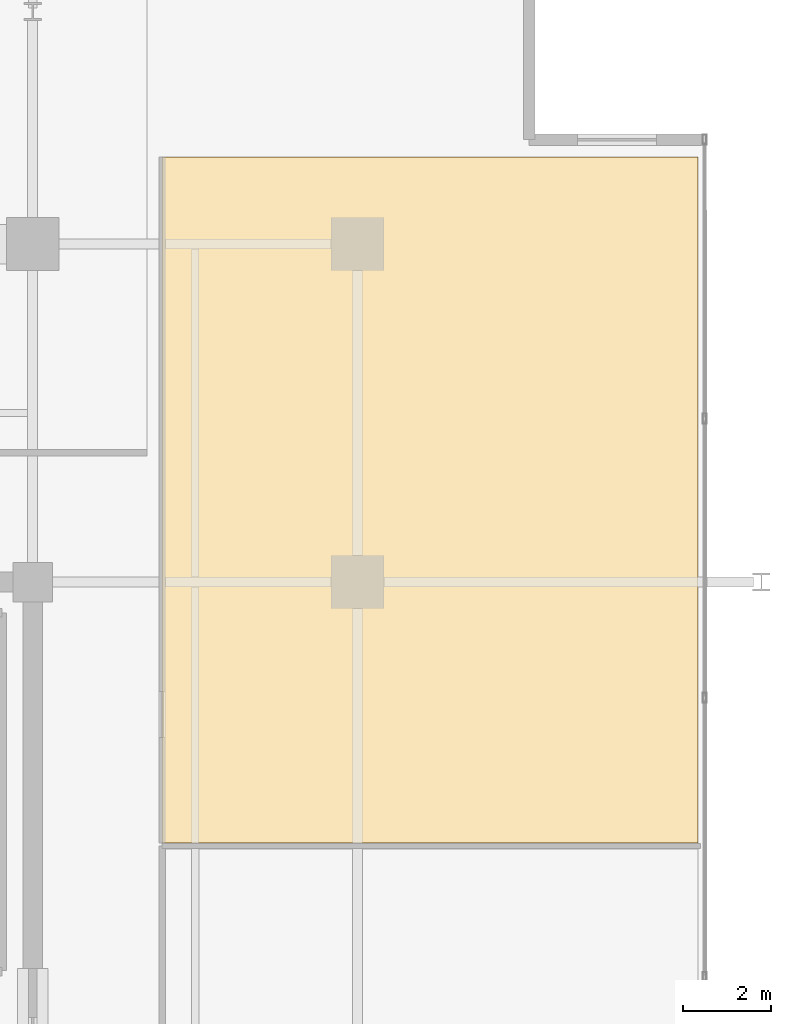
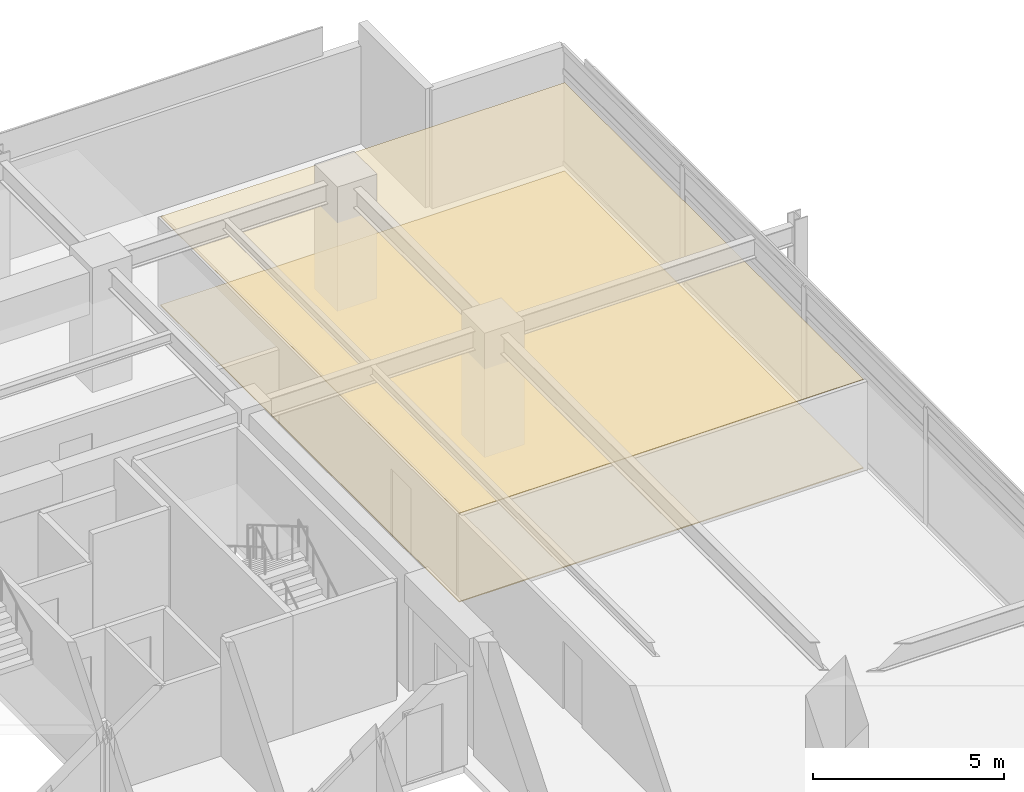
# One storey, part 23 of 23: 2 coverings.
"""IFC4 building model written with IfcOpenShell, lengths in metres."""

import ifcopenshell
import ifcopenshell.guid

model = None  # the IFC model being written
_history = None  # IfcOwnerHistory: only IFC2X3 demands one
_inside = {}  # id of a spatial element -> (the spatial element, [elements in it])
_under = {}  # id of a project, library or spatial element -> (it, [spatial elements below it])
_declared = {}  # id of a project -> (the project, [libraries it declares])
_typed = {}  # id of a type object -> (the type object, [elements of that type])
_made_of = {}  # id of a material, layer set ... -> (it, [elements and type objects made of it])


def new_model(schema):
    """Start an empty IFC model of exactly this schema.

    Asked for "IFC4X3", IfcOpenShell would pick the latest addendum, in which some entities
    have other attributes; the version numbers below select the first issue.
    IFC2X3 requires an IfcOwnerHistory on every rooted entity: one is made here for all.
    """
    global model, _history
    if schema == "IFC4X3":
        model = ifcopenshell.file(schema_version=(4, 3, 0, 0))
    else:
        model = ifcopenshell.file(schema=schema)
    _inside.clear()
    _under.clear()
    _declared.clear()
    _typed.clear()
    _made_of.clear()
    _history = None
    if model.schema == "IFC2X3":
        org = make("IfcOrganization", Name="unknown")
        user = make(
            "IfcPersonAndOrganization",
            ThePerson=make("IfcPerson", FamilyName="unknown"),
            TheOrganization=org,
        )
        app = make(
            "IfcApplication",
            ApplicationDeveloper=org,
            Version="unknown",
            ApplicationFullName="unknown",
            ApplicationIdentifier="unknown",
        )
        _history = make(
            "IfcOwnerHistory",
            OwningUser=user,
            OwningApplication=app,
            ChangeAction="ADDED",
            CreationDate=0,
        )
    return model


def make(cls, **values):
    """One entity of the class cls with the attributes given. An attribute that is None is left unset."""
    return model.create_entity(
        cls, **{name: value for name, value in values.items() if value is not None}
    )


def rooted(cls, **values):
    """An entity with a GlobalId (a new one), such as an element, a storey or a relation."""
    return make(cls, GlobalId=ifcopenshell.guid.new(), OwnerHistory=_history, **values)


def si_unit(unit_type, name, prefix=None):
    """IfcSIUnit, for example si_unit("LENGTHUNIT", "METRE", prefix="MILLI")."""
    return make("IfcSIUnit", UnitType=unit_type, Prefix=prefix, Name=name)


def assignment(units):
    """IfcUnitAssignment: the units of a project."""
    return None if units is None else make("IfcUnitAssignment", Units=units)


def point(xyz):
    """IfcCartesianPoint."""
    return None if xyz is None else make("IfcCartesianPoint", Coordinates=xyz)


def direction(xyz):
    """IfcDirection."""
    return None if xyz is None else make("IfcDirection", DirectionRatios=xyz)


def frame(location, z_axis=None, x_axis=None):
    """IfcAxis2Placement3D, a coordinate frame: its origin and axes. An axis left out is left unset."""
    return make(
        "IfcAxis2Placement3D",
        Location=point(location),
        Axis=direction(z_axis),
        RefDirection=direction(x_axis),
    )


def origin():
    """The frame at (0, 0, 0) with its axes left unset."""
    return frame((0.0, 0.0, 0.0))


def place(relative_to, where):
    """IfcLocalPlacement: puts the frame where relative to a parent placement (None: the world)."""
    return make(
        "IfcLocalPlacement", PlacementRelTo=relative_to, RelativePlacement=where
    )


def context(
    kind, dimensions, precision=None, world=None, true_north=None, identifier=None
):
    """IfcGeometricRepresentationContext, for example the 3D "Model" context."""
    return make(
        "IfcGeometricRepresentationContext",
        ContextIdentifier=identifier,
        ContextType=kind,
        CoordinateSpaceDimension=dimensions,
        Precision=precision,
        WorldCoordinateSystem=world,
        TrueNorth=true_north,
    )


def subcontext(parent, identifier, kind, view, scale=None):
    """IfcGeometricRepresentationSubContext, for example "Body" below "Model"."""
    return make(
        "IfcGeometricRepresentationSubContext",
        ContextIdentifier=identifier,
        ContextType=kind,
        ParentContext=parent,
        TargetScale=scale,
        TargetView=view,
    )


def project(units=None, contexts=None):
    """IfcProject with its units and contexts."""
    return rooted(
        "IfcProject",
        Name="project",
        RepresentationContexts=contexts,
        UnitsInContext=assignment(units),
    )


def spatial(cls, under=None, at=None, **own):
    """A site, building, storey or space (cls), placed at a placement, below another one or the project."""
    s = rooted(cls, ObjectPlacement=at, **own)
    if under is not None:
        _under.setdefault(under.id(), (under, []))[1].append(s)
    return s


def polyline(points):
    """IfcPolyline through the points."""
    return make("IfcPolyline", Points=[point(p) for p in points])


def outline(outer, holes=None, kind="AREA"):
    """IfcArbitraryClosedProfileDef: a profile drawn as a closed curve; with holes, ...WithVoids."""
    if holes is None:
        return make("IfcArbitraryClosedProfileDef", ProfileType=kind, OuterCurve=outer)
    return make(
        "IfcArbitraryProfileDefWithVoids",
        ProfileType=kind,
        OuterCurve=outer,
        InnerCurves=holes,
    )


def extrude(swept, where, along, depth):
    """IfcExtrudedAreaSolid: the profile swept, set in the frame where, extruded along a direction by depth."""
    return make(
        "IfcExtrudedAreaSolid",
        SweptArea=swept,
        Position=where,
        ExtrudedDirection=direction(along),
        Depth=depth,
    )


def shape(context_of_items, identifier, shape_type, items):
    """IfcShapeRepresentation: the items that make up one representation, for example the "Body"."""
    return make(
        "IfcShapeRepresentation",
        ContextOfItems=context_of_items,
        RepresentationIdentifier=identifier,
        RepresentationType=shape_type,
        Items=items,
    )


def material(Name=None, Category=None):
    """IfcMaterial."""
    return make("IfcMaterial", Name=Name, Category=Category)


def layer(
    of_material, thickness, ventilated=None, Name=None, Category=None, Priority=None
):
    """IfcMaterialLayer: one layer of a wall or slab, of a material (None: an air gap)."""
    return make(
        "IfcMaterialLayer",
        Material=of_material,
        LayerThickness=thickness,
        IsVentilated=ventilated,
        Name=Name,
        Category=Category,
        Priority=Priority,
    )


def layer_set(layers, Name=None):
    """IfcMaterialLayerSet."""
    return make("IfcMaterialLayerSet", MaterialLayers=layers, LayerSetName=Name)


def made_of(thing, what):
    """Note that an element or type object is made of a material, layer set ...; save() writes the relation."""
    if what is not None:
        _made_of.setdefault(what.id(), (what, []))[1].append(thing)
    return thing


def type_object(cls, material=None, **own):
    """A type object (cls), such as IfcWallType, which elements share."""
    return made_of(rooted(cls, **own), material)


def element(
    cls,
    number,
    at=None,
    inside=None,
    cuts=None,
    type_object=None,
    material=None,
    context=None,
    identifier="Body",
    shape_type=None,
    held_by="IfcProductDefinitionShape",
    body=None,
    shapes=None,
    **own,
):
    """One element of the class cls, such as IfcWall. Its Tag is "e" and its number.

    at: its placement. inside: the storey or other place that contains it. cuts: it is an
    opening in that element (IfcRelVoidsElement). A single representation is given by context,
    identifier, shape_type and body (its items); several are given by shapes. held_by: the class
    of the entity that holds the representations. save() writes the other relations.
    """
    e = rooted(cls, Tag="e%d" % number, ObjectPlacement=at, **own)
    if body is not None:
        shapes = [shape(context, identifier, shape_type, body)]
    if shapes is not None:
        e.Representation = make(held_by, Representations=shapes)
    if inside is not None:
        _inside.setdefault(inside.id(), (inside, []))[1].append(e)
    if cuts is not None:
        rooted(
            "IfcRelVoidsElement", RelatingBuildingElement=cuts, RelatedOpeningElement=e
        )
    if type_object is not None:
        _typed.setdefault(type_object.id(), (type_object, []))[1].append(e)
    return made_of(e, material)


def aggregate(whole, parts):
    """IfcRelAggregates: a whole, such as a stair, and the parts it consists of."""
    return rooted("IfcRelAggregates", RelatingObject=whole, RelatedObjects=parts)


def save(model, path):
    """Write the relations noted so far, then the file.

    IfcRelAggregates (storeys below a building ...), IfcRelContainedInSpatialStructure (elements
    in a storey), IfcRelDefinesByType, IfcRelAssociatesMaterial and IfcRelDeclares: one each for
    every whole, place, type object, material and project.
    """
    for whole, parts in _under.values():
        aggregate(whole, parts)
    for where, things in _inside.values():
        rooted(
            "IfcRelContainedInSpatialStructure",
            RelatedElements=things,
            RelatingStructure=where,
        )
    for kind, things in _typed.values():
        rooted("IfcRelDefinesByType", RelatedObjects=things, RelatingType=kind)
    for what, things in _made_of.values():
        rooted("IfcRelAssociatesMaterial", RelatedObjects=things, RelatingMaterial=what)
    for by, libraries in _declared.values():
        rooted("IfcRelDeclares", RelatingContext=by, RelatedDefinitions=libraries)
    model.write(path)


model = new_model("IFC4")

# Units and contexts
model_context = context("Model", 3, precision=1e-05, world=origin(), true_north=direction((0.0, 1.0)))
body_context = subcontext(model_context, "Body", "Model", "MODEL_VIEW")
ifc_project = project(units=[si_unit("LENGTHUNIT", "METRE"), si_unit("AREAUNIT", "SQUARE_METRE"), si_unit("VOLUMEUNIT", "CUBIC_METRE"), si_unit("PLANEANGLEUNIT", "RADIAN"), si_unit("MASSUNIT", "GRAM", prefix="KILO")], contexts=[model_context])

# Site, building, storey
site_placement = place(None, origin())
site = spatial("IfcSite", under=ifc_project, at=site_placement, CompositionType="ELEMENT")
building_placement = place(site_placement, origin())
building = spatial("IfcBuilding", under=site, at=building_placement, Name="Kovane Verandah Tower", CompositionType="ELEMENT")
storey_placement = place(building_placement, frame((0.0, 0.0, 243.199951171875)))
storey = spatial("IfcBuildingStorey", under=building, at=storey_placement, Name="L56", CompositionType="ELEMENT", Elevation=243.199951171875)

# Coverings
ifc_material_1 = material(Name="Perforated Acoustic Mineral-Fibre Ceiling Tile", Category="gypsum")
ifc_layer_1 = layer(ifc_material_1, 0.02490234375)
ifc_layer_set_1 = layer_set([ifc_layer_1], Name="Perforated Acoustic Mineral-Fibre Ceiling Tile")
covering_type_1 = type_object("IfcCoveringType", Name="CV-CEIL-25", PredefinedType="CEILING", material=ifc_layer_set_1)
covering_1_placement = place(storey_placement, frame((0.0, 0.0, 2.824951171875)))
element("IfcCovering", 1, at=covering_1_placement, inside=storey, type_object=covering_type_1, Name="L56 Executive Office E2 Acoustic Ceiling", PredefinedType="CEILING", context=body_context, shape_type="SweptSolid", body=[
    extrude(outline(polyline([(53.949951171875, 30.558837890625), (66.15771484375, 30.558837890625), (66.15771484375, 46.179931640625), (53.949951171875, 46.179931640625), (53.949951171875, 30.558837890625)])), origin(), (0.0, 0.0, 1.0), 0.025146484375),
])
ifc_material_2 = material(Name="Polished Terrazzo and Raised-Access Carpet Tile Finish", Category="concrete")
ifc_layer_2 = layer(ifc_material_2, 0.030029296875)
ifc_layer_set_2 = layer_set([ifc_layer_2], Name="Polished Terrazzo and Raised-Access Carpet Tile Finish")
covering_type_2 = type_object("IfcCoveringType", Name="CV-FLOR-30", PredefinedType="FLOORING", material=ifc_layer_set_2)
covering_2_placement = place(storey_placement, origin())
element("IfcCovering", 2, at=covering_2_placement, inside=storey, type_object=covering_type_2, Name="L56 Executive Office E2 Floor Finish", PredefinedType="FLOORING", context=body_context, shape_type="SweptSolid", body=[
    extrude(outline(polyline([(53.949951171875, 30.558837890625), (66.15771484375, 30.558837890625), (66.15771484375, 46.179931640625), (53.949951171875, 46.179931640625), (53.949951171875, 30.558837890625)])), origin(), (0.0, 0.0, 1.0), 0.030029296875),
])

save(model, "model.ifc")
